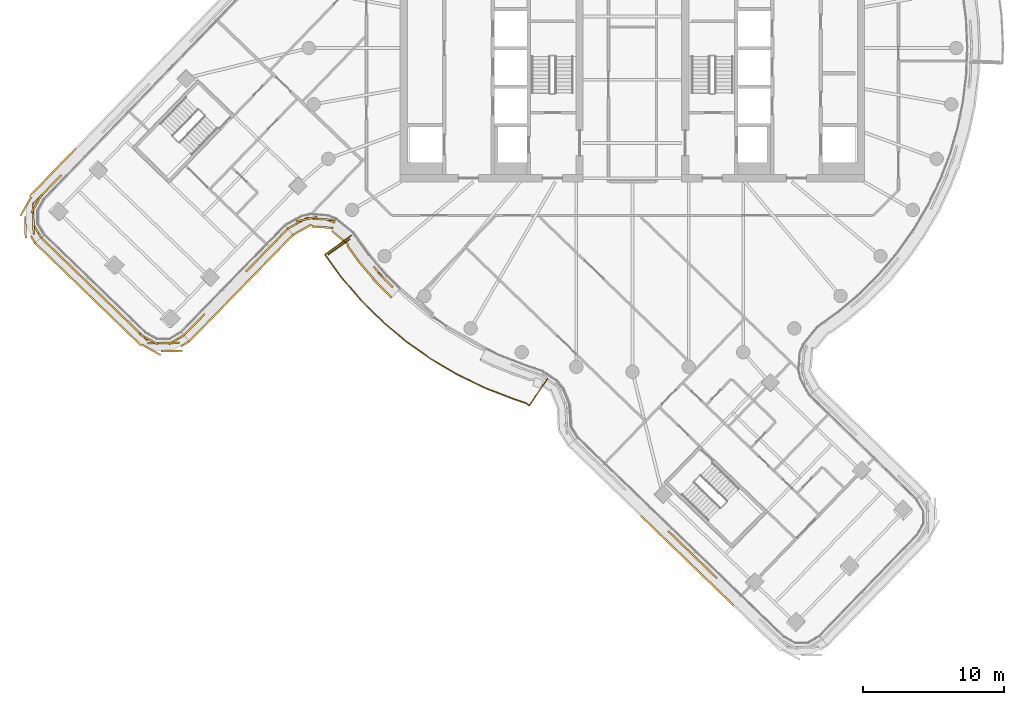
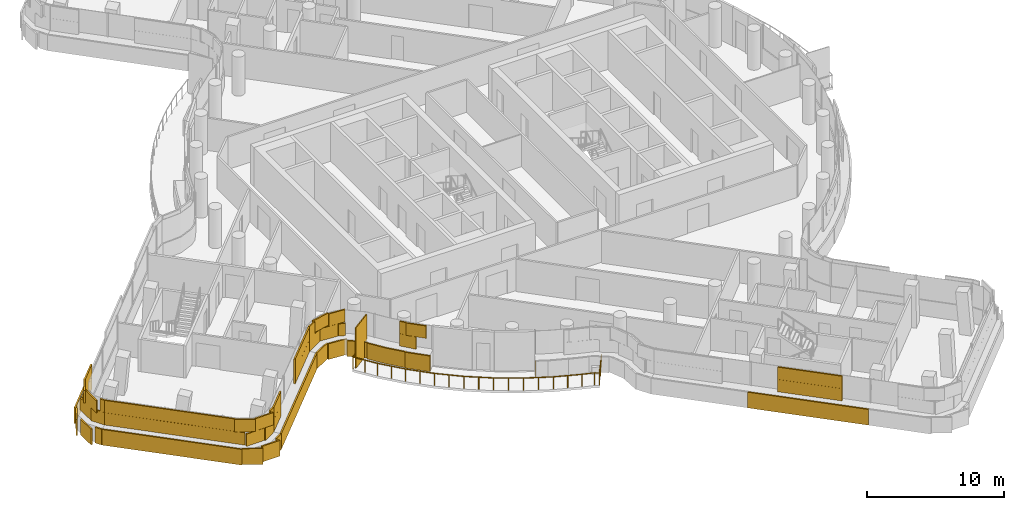
# One storey, part 24 of 31: 5 coverings, 1 railing, 1 shading device.
"""IFC4 building model written with IfcOpenShell, lengths in metres."""

from ifc_helpers import new_model, si_unit, direction, frame, origin, origin_2d, place, context, subcontext, project, spatial, rectangle, circle, extrude, material, layer, layer_set, type_object, element, save


model = new_model("IFC4")

# Units and contexts
model_context = context("Model", 3, precision=1e-05, world=origin(), true_north=direction((0.0, 1.0)))
body_context = subcontext(model_context, "Body", "Model", "MODEL_VIEW")
ifc_project = project(units=[si_unit("LENGTHUNIT", "METRE"), si_unit("AREAUNIT", "SQUARE_METRE"), si_unit("VOLUMEUNIT", "CUBIC_METRE"), si_unit("PLANEANGLEUNIT", "RADIAN"), si_unit("MASSUNIT", "GRAM", prefix="KILO")], contexts=[model_context])

# Site, building, storey
site_placement = place(None, origin())
site = spatial("IfcSite", under=ifc_project, at=site_placement, CompositionType="ELEMENT")
building_placement = place(site_placement, origin())
building = spatial("IfcBuilding", under=site, at=building_placement, Name="Tamarind Cross Interchange Tower", CompositionType="ELEMENT")
storey_placement = place(building_placement, frame((0.0, 0.0, 200.5)))
storey = spatial("IfcBuildingStorey", under=building, at=storey_placement, Name="L50", CompositionType="ELEMENT", Elevation=200.5)

# Railing
ifc_material_1 = material(Name="Stainless steel and laminated glass", Category="steel")
railing_type = type_object("IfcRailingType", Name="Balcony guard", PredefinedType="BALUSTRADE", material=ifc_material_1)
railing_placement = place(storey_placement, frame((-19.9638671875, -13.305908203125, 0.0)))
element("IfcRailing", 1, at=railing_placement, inside=storey, type_object=railing_type, Name="Balcony guard 02", PredefinedType="BALUSTRADE", context=body_context, shape_type="SweptSolid", body=[
    extrude(circle(Radius=0.02490234375, at=origin_2d()), frame((0.0, 0.0, 1.0751953125), z_axis=(-0.811208882336, -0.584756487111, 0.0), x_axis=(0.584756487111, -0.811208882336, 0.0)), (0.0, 0.0, 1.0), 2.320068359375),
    extrude(circle(Radius=0.02490234375, at=origin_2d()), frame((-1.882080078125, -1.356689453125, 1.0751953125), z_axis=(0.584740638287, -0.811220306659, 0.0), x_axis=(0.811220306659, 0.584740638287, 0.0)), (0.0, 0.0, 1.0), 1.9619140625),
    extrude(circle(Radius=0.02490234375, at=origin_2d()), frame((-0.73486328125, -2.9482421875, 1.0751953125), z_axis=(0.649598066146, -0.760277812684, 0.0), x_axis=(0.760277812684, 0.649598066146, 0.0)), (0.0, 0.0, 1.0), 2.175048828125),
    extrude(circle(Radius=0.02490234375, at=origin_2d()), frame((0.677978515625, -4.601806640625, 1.0751953125), z_axis=(0.710130717242, -0.704069857635, 0.0), x_axis=(0.704069857635, 0.710130717242, 0.0)), (0.0, 0.0, 1.0), 2.17529296875),
    extrude(circle(Radius=0.02490234375, at=origin_2d()), frame((2.22265625, -6.13330078125, 1.0751953125), z_axis=(0.765879503455, -0.642984125922, 0.0), x_axis=(0.642984125922, 0.765879503455, 0.0)), (0.0, 0.0, 1.0), 2.17529296875),
    extrude(circle(Radius=0.02490234375, at=origin_2d()), frame((3.888671875, -7.531982421875, 1.0751953125), z_axis=(0.81632657602, -0.577590617379, 0.0), x_axis=(0.577590617379, 0.81632657602, 0.0)), (0.0, 0.0, 1.0), 2.175048828125),
    extrude(circle(Radius=0.02490234375, at=origin_2d()), frame((5.664306640625, -8.788330078125, 1.0751953125), z_axis=(0.861223570169, -0.508226290333, 0.0), x_axis=(0.508226290333, 0.861223570169, 0.0)), (0.0, 0.0, 1.0), 2.175048828125),
    extrude(circle(Radius=0.02490234375, at=origin_2d()), frame((7.53759765625, -9.893798828125, 1.0751953125), z_axis=(0.90029690694, -0.435276325285, 0.0), x_axis=(0.435276325285, 0.90029690694, 0.0)), (0.0, 0.0, 1.0), 2.175048828125),
    extrude(circle(Radius=0.02490234375, at=origin_2d()), frame((9.495849609375, -10.840576171875, 1.0751953125), z_axis=(0.933126557502, -0.359548088139, 0.0), x_axis=(0.359548088139, 0.933126557502, 0.0)), (0.0, 0.0, 1.0), 2.12744140625),
    extrude(circle(Radius=0.02490234375, at=origin_2d()), frame((11.48095703125, -11.60546875, 1.0751953125), z_axis=(0.947254039468, -0.320483673081, 0.0), x_axis=(0.320483673081, 0.947254039468, 0.0)), (0.0, 0.0, 1.0), 0.9287109375),
    extrude(circle(Radius=0.02490234375, at=origin_2d()), frame((12.360595703125, -11.903076171875, 1.0751953125), z_axis=(0.832481631694, -0.554052644514, 0.0), x_axis=(0.554052644514, 0.832481631694, 0.0)), (0.0, 0.0, 1.0), 0.34814453125),
    extrude(circle(Radius=0.02490234375, at=origin_2d()), frame((12.650390625, -12.095947265625, 1.0751953125), z_axis=(0.554165813508, 0.832406301718, 0.0), x_axis=(-0.832406301718, 0.554165813508, 0.0)), (0.0, 0.0, 1.0), 2.320068359375),
    extrude(circle(Radius=0.02001953125, at=origin_2d()), origin(), (0.0, 0.0, 1.0), 1.050048828125),
    extrude(circle(Radius=0.02001953125, at=origin_2d()), frame((-0.94091796875, -0.67822265625, 0.0)), (0.0, 0.0, 1.0), 1.050048828125),
    extrude(circle(Radius=0.02001953125, at=origin_2d()), frame((-1.882080078125, -1.356689453125, 0.0)), (0.0, 0.0, 1.0), 1.050048828125),
    extrude(circle(Radius=0.02001953125, at=origin_2d()), frame((-1.30859375, -2.15234375, 0.0)), (0.0, 0.0, 1.0), 1.050048828125),
    extrude(circle(Radius=0.02001953125, at=origin_2d()), frame((-0.73486328125, -2.9482421875, 0.0)), (0.0, 0.0, 1.0), 1.050048828125),
    extrude(circle(Radius=0.02001953125, at=origin_2d()), frame((-0.0283203125, -3.77490234375, 0.0)), (0.0, 0.0, 1.0), 1.050048828125),
    extrude(circle(Radius=0.02001953125, at=origin_2d()), frame((0.677978515625, -4.601806640625, 0.0)), (0.0, 0.0, 1.0), 1.050048828125),
    extrude(circle(Radius=0.02001953125, at=origin_2d()), frame((1.4501953125, -5.36767578125, 0.0)), (0.0, 0.0, 1.0), 1.050048828125),
    extrude(circle(Radius=0.02001953125, at=origin_2d()), frame((2.22265625, -6.13330078125, 0.0)), (0.0, 0.0, 1.0), 1.050048828125),
    extrude(circle(Radius=0.02001953125, at=origin_2d()), frame((3.0556640625, -6.83251953125, 0.0)), (0.0, 0.0, 1.0), 1.050048828125),
    extrude(circle(Radius=0.02001953125, at=origin_2d()), frame((3.888671875, -7.531982421875, 0.0)), (0.0, 0.0, 1.0), 1.050048828125),
    extrude(circle(Radius=0.02001953125, at=origin_2d()), frame((4.7763671875, -8.16015625, 0.0)), (0.0, 0.0, 1.0), 1.050048828125),
    extrude(circle(Radius=0.02001953125, at=origin_2d()), frame((5.664306640625, -8.788330078125, 0.0)), (0.0, 0.0, 1.0), 1.050048828125),
    extrude(circle(Radius=0.02001953125, at=origin_2d()), frame((6.60107421875, -9.341064453125, 0.0)), (0.0, 0.0, 1.0), 1.050048828125),
    extrude(circle(Radius=0.02001953125, at=origin_2d()), frame((7.53759765625, -9.893798828125, 0.0)), (0.0, 0.0, 1.0), 1.050048828125),
    extrude(circle(Radius=0.02001953125, at=origin_2d()), frame((8.5166015625, -10.3671875, 0.0)), (0.0, 0.0, 1.0), 1.050048828125),
    extrude(circle(Radius=0.02001953125, at=origin_2d()), frame((9.495849609375, -10.840576171875, 0.0)), (0.0, 0.0, 1.0), 1.050048828125),
    extrude(circle(Radius=0.02001953125, at=origin_2d()), frame((10.48828125, -11.22314453125, 0.0)), (0.0, 0.0, 1.0), 1.050048828125),
    extrude(circle(Radius=0.02001953125, at=origin_2d()), frame((11.48095703125, -11.60546875, 0.0)), (0.0, 0.0, 1.0), 1.050048828125),
    extrude(circle(Radius=0.02001953125, at=origin_2d()), frame((12.360595703125, -11.903076171875, 0.0)), (0.0, 0.0, 1.0), 1.050048828125),
    extrude(circle(Radius=0.02001953125, at=origin_2d()), frame((12.650390625, -12.095947265625, 0.0)), (0.0, 0.0, 1.0), 1.050048828125),
    extrude(circle(Radius=0.02001953125, at=origin_2d()), frame((13.293212890625, -11.13037109375, 0.0)), (0.0, 0.0, 1.0), 1.050048828125),
    extrude(circle(Radius=0.02001953125, at=origin_2d()), frame((13.93603515625, -10.164794921875, 0.0)), (0.0, 0.0, 1.0), 1.050048828125),
])

# Shading device
ifc_material_2 = material(Name="Bronze-finish aluminium louvre", Category="aluminium")
ifc_layer_1 = layer(ifc_material_2, 0.080078125)
ifc_layer_set_1 = layer_set([ifc_layer_1], Name="Bronze-finish aluminium louvre")
shading_device_type = type_object("IfcShadingDeviceType", Name="Operable louvre bay", PredefinedType="JALOUSIE", material=ifc_layer_set_1)
shading_device_placement = place(storey_placement, origin())
element("IfcShadingDevice", 2, at=shading_device_placement, inside=storey, type_object=shading_device_type, Name="LVR-L50-BAL02", PredefinedType="JALOUSIE", context=body_context, shape_type="SweptSolid", body=[
    extrude(rectangle(XDim=1.89990234375, YDim=0.080078125, at=origin_2d()), frame((-20.85546875, -14.121337890625, 0.0), z_axis=(0.0, 0.0, 1.0), x_axis=(-0.811217394298, -0.584744678632, 0.0)), (0.0, 0.0, 1.0), 3.60009765625),
])

# Coverings
ifc_material_3 = material(Name="Terracotta", Category="masonry")
ifc_layer_2 = layer(ifc_material_3, 0.1201171875)
ifc_layer_set_2 = layer_set([ifc_layer_2], Name="Terracotta")
covering_type = type_object("IfcCoveringType", Name="Terracotta baguette screen unit", PredefinedType="MOLDING", material=ifc_layer_set_2)
covering_1_placement = place(storey_placement, origin())
element("IfcCovering", 3, at=covering_1_placement, inside=storey, type_object=covering_type, Name="SCR-L50-00-00", PredefinedType="MOLDING", context=body_context, shape_type="SweptSolid", body=[
    extrude(rectangle(XDim=1.510009765625, YDim=0.1201171875, at=origin_2d()), frame((-41.46533203125, -14.0048828125, 1.40380859375), z_axis=(0.0, 0.0, 1.0), x_axis=(0.718990536097, -0.695019862308, 0.0)), (0.0, 0.0, 1.0), 1.092041015625),
    extrude(rectangle(XDim=1.52001953125, YDim=0.1201171875, at=origin_2d()), frame((-40.386962890625, -15.04736328125, 1.40380859375), z_axis=(0.0, 0.0, 1.0), x_axis=(0.718990536097, -0.695019862308, 0.0)), (0.0, 0.0, 1.0), 1.092041015625),
    extrude(rectangle(XDim=1.52001953125, YDim=0.1201171875, at=origin_2d()), frame((-39.308349609375, -16.08984375, 1.40380859375), z_axis=(0.0, 0.0, 1.0), x_axis=(0.718990536097, -0.695019862308, 0.0)), (0.0, 0.0, 1.0), 1.092041015625),
    extrude(rectangle(XDim=1.52001953125, YDim=0.1201171875, at=origin_2d()), frame((-38.22998046875, -17.13232421875, 1.40380859375), z_axis=(0.0, 0.0, 1.0), x_axis=(0.718990536097, -0.695019862308, 0.0)), (0.0, 0.0, 1.0), 1.092041015625),
    extrude(rectangle(XDim=1.52001953125, YDim=0.1201171875, at=origin_2d()), frame((-37.1513671875, -18.1748046875, 1.40380859375), z_axis=(0.0, 0.0, 1.0), x_axis=(0.718990536097, -0.695019862308, 0.0)), (0.0, 0.0, 1.0), 1.092041015625),
    extrude(rectangle(XDim=1.52001953125, YDim=0.1201171875, at=origin_2d()), frame((-36.072998046875, -19.217529296875, 1.40380859375), z_axis=(0.0, 0.0, 1.0), x_axis=(0.718990536097, -0.695019862308, 0.0)), (0.0, 0.0, 1.0), 1.092041015625),
    extrude(rectangle(XDim=1.52001953125, YDim=0.1201171875, at=origin_2d()), frame((-34.994384765625, -20.260009765625, 1.40380859375), z_axis=(0.0, 0.0, 1.0), x_axis=(0.718990536097, -0.695019862308, 0.0)), (0.0, 0.0, 1.0), 1.092041015625),
    extrude(rectangle(XDim=1.52001953125, YDim=0.1201171875, at=origin_2d()), frame((-33.7060546875, -20.96728515625, 1.40380859375), z_axis=(0.0, 0.0, 1.0), x_axis=(0.999856341381, 0.016949825986, 0.0)), (0.0, 0.0, 1.0), 1.092041015625),
    extrude(rectangle(XDim=1.259521484375, YDim=0.1201171875, at=origin_2d()), frame((-32.39501953125, -20.721923828125, 1.40380859375), z_axis=(0.0, 0.0, 1.0), x_axis=(0.857426078778, 0.514607150584, 0.0)), (0.0, 0.0, 1.0), 1.092041015625),
    extrude(rectangle(XDim=0.760009765625, YDim=0.1201171875, at=origin_2d()), frame((-41.735107421875, -13.744140625, 2.50390625), z_axis=(0.0, 0.0, 1.0), x_axis=(0.718990536097, -0.695019862308, 0.0)), (0.0, 0.0, 1.0), 1.092041015625),
    extrude(rectangle(XDim=1.52001953125, YDim=0.1201171875, at=origin_2d()), frame((-40.92626953125, -14.526123046875, 2.50390625), z_axis=(0.0, 0.0, 1.0), x_axis=(0.718990536097, -0.695019862308, 0.0)), (0.0, 0.0, 1.0), 1.092041015625),
    extrude(rectangle(XDim=1.52001953125, YDim=0.1201171875, at=origin_2d()), frame((-39.84765625, -15.568603515625, 2.50390625), z_axis=(0.0, 0.0, 1.0), x_axis=(0.718990536097, -0.695019862308, 0.0)), (0.0, 0.0, 1.0), 1.092041015625),
    extrude(rectangle(XDim=1.52001953125, YDim=0.1201171875, at=origin_2d()), frame((-38.769287109375, -16.611083984375, 2.50390625), z_axis=(0.0, 0.0, 1.0), x_axis=(0.718990536097, -0.695019862308, 0.0)), (0.0, 0.0, 1.0), 1.092041015625),
    extrude(rectangle(XDim=1.52001953125, YDim=0.1201171875, at=origin_2d()), frame((-37.690673828125, -17.653564453125, 2.50390625), z_axis=(0.0, 0.0, 1.0), x_axis=(0.718990536097, -0.695019862308, 0.0)), (0.0, 0.0, 1.0), 1.092041015625),
    extrude(rectangle(XDim=1.52001953125, YDim=0.1201171875, at=origin_2d()), frame((-36.6123046875, -18.696044921875, 2.50390625), z_axis=(0.0, 0.0, 1.0), x_axis=(0.718990536097, -0.695019862308, 0.0)), (0.0, 0.0, 1.0), 1.092041015625),
    extrude(rectangle(XDim=1.52001953125, YDim=0.1201171875, at=origin_2d()), frame((-35.53369140625, -19.73876953125, 2.50390625), z_axis=(0.0, 0.0, 1.0), x_axis=(0.718990536097, -0.695019862308, 0.0)), (0.0, 0.0, 1.0), 1.092041015625),
    extrude(rectangle(XDim=1.52001953125, YDim=0.1201171875, at=origin_2d()), frame((-34.38134765625, -20.681396484375, 2.50390625), z_axis=(0.0, 0.0, 1.0), x_axis=(0.874375904764, -0.485249190797, 0.0)), (0.0, 0.0, 1.0), 1.092041015625),
    extrude(rectangle(XDim=1.52001953125, YDim=0.1201171875, at=origin_2d()), frame((-32.9560546875, -20.95458984375, 2.50390625), z_axis=(0.0, 0.0, 1.0), x_axis=(0.999856341381, 0.016949825986, 0.0)), (0.0, 0.0, 1.0), 1.092041015625),
    extrude(rectangle(XDim=0.509521484375, YDim=0.1201171875, at=origin_2d()), frame((-32.073486328125, -20.529052734375, 2.50390625), z_axis=(0.0, 0.0, 1.0), x_axis=(0.857426078778, 0.514607150584, 0.0)), (0.0, 0.0, 1.0), 1.092041015625),
    extrude(rectangle(XDim=1.510009765625, YDim=0.1201171875, at=origin_2d()), frame((-41.9150390625, -14.368408203125, 0.00390625), z_axis=(0.0, 0.0, 1.0), x_axis=(0.718990536097, -0.695019862308, 0.0)), (0.0, 0.0, 1.0), 1.39208984375),
    extrude(rectangle(XDim=1.52001953125, YDim=0.1201171875, at=origin_2d()), frame((-40.840087890625, -15.407470703125, 0.00390625), z_axis=(0.0, 0.0, 1.0), x_axis=(0.718990536097, -0.695019862308, 0.0)), (0.0, 0.0, 1.0), 1.39208984375),
    extrude(rectangle(XDim=1.52001953125, YDim=0.1201171875, at=origin_2d()), frame((-39.76171875, -16.449951171875, 0.00390625), z_axis=(0.0, 0.0, 1.0), x_axis=(0.718990536097, -0.695019862308, 0.0)), (0.0, 0.0, 1.0), 1.39208984375),
    extrude(rectangle(XDim=1.52001953125, YDim=0.1201171875, at=origin_2d()), frame((-38.683349609375, -17.492431640625, 0.00390625), z_axis=(0.0, 0.0, 1.0), x_axis=(0.718990536097, -0.695019862308, 0.0)), (0.0, 0.0, 1.0), 1.39208984375),
    extrude(rectangle(XDim=1.52001953125, YDim=0.1201171875, at=origin_2d()), frame((-37.604736328125, -18.53515625, 0.00390625), z_axis=(0.0, 0.0, 1.0), x_axis=(0.718990536097, -0.695019862308, 0.0)), (0.0, 0.0, 1.0), 1.39208984375),
    extrude(rectangle(XDim=1.52001953125, YDim=0.1201171875, at=origin_2d()), frame((-36.5263671875, -19.57763671875, 0.00390625), z_axis=(0.0, 0.0, 1.0), x_axis=(0.718990536097, -0.695019862308, 0.0)), (0.0, 0.0, 1.0), 1.39208984375),
    extrude(rectangle(XDim=1.52001953125, YDim=0.1201171875, at=origin_2d()), frame((-35.44775390625, -20.6201171875, 0.00390625), z_axis=(0.0, 0.0, 1.0), x_axis=(0.718990536097, -0.695019862308, 0.0)), (0.0, 0.0, 1.0), 1.39208984375),
    extrude(rectangle(XDim=1.52001953125, YDim=0.1201171875, at=origin_2d()), frame((-34.2021484375, -21.43701171875, 0.00390625), z_axis=(0.0, 0.0, 1.0), x_axis=(0.874375904764, -0.485249190797, 0.0)), (0.0, 0.0, 1.0), 1.39208984375),
    extrude(rectangle(XDim=1.52001953125, YDim=0.1201171875, at=origin_2d()), frame((-32.730712890625, -21.52490234375, 0.00390625), z_axis=(0.0, 0.0, 1.0), x_axis=(0.999856341381, 0.016949825986, 0.0)), (0.0, 0.0, 1.0), 1.39208984375),
    extrude(rectangle(XDim=0.67578125, YDim=0.1201171875, at=origin_2d()), frame((-31.789794921875, -21.0283203125, 0.00390625), z_axis=(0.0, 0.0, 1.0), x_axis=(0.857426078778, 0.514607150584, 0.0)), (0.0, 0.0, 1.0), 1.39208984375),
])
covering_2_placement = place(storey_placement, origin())
element("IfcCovering", 4, at=covering_2_placement, inside=storey, type_object=covering_type, Name="SCR-L50-01-00", PredefinedType="MOLDING", context=body_context, shape_type="SweptSolid", body=[
    extrude(rectangle(XDim=1.510009765625, YDim=0.1201171875, at=origin_2d()), frame((-31.3359375, -19.86328125, 1.40380859375), z_axis=(0.0, 0.0, 1.0), x_axis=(0.6978798813, 0.716214822017, 0.0)), (0.0, 0.0, 1.0), 1.092041015625),
    extrude(rectangle(XDim=0.617431640625, YDim=0.1201171875, at=origin_2d()), frame((-30.6005859375, -19.108642578125, 1.40380859375), z_axis=(0.0, 0.0, 1.0), x_axis=(0.6978798813, 0.716214822017, 0.0)), (0.0, 0.0, 1.0), 1.092041015625),
    extrude(rectangle(XDim=1.202392578125, YDim=0.1201171875, at=origin_2d()), frame((-27.041259765625, -15.455810546875, 1.40380859375), z_axis=(0.0, 0.0, 1.0), x_axis=(0.6978798813, 0.716214822017, 0.0)), (0.0, 0.0, 1.0), 1.092041015625),
    extrude(rectangle(XDim=1.52001953125, YDim=0.1201171875, at=origin_2d()), frame((-26.101806640625, -14.49169921875, 1.40380859375), z_axis=(0.0, 0.0, 1.0), x_axis=(0.6978798813, 0.716214822017, 0.0)), (0.0, 0.0, 1.0), 1.092041015625),
    extrude(rectangle(XDim=1.52001953125, YDim=0.1201171875, at=origin_2d()), frame((-25.054931640625, -13.41748046875, 1.40380859375), z_axis=(0.0, 0.0, 1.0), x_axis=(0.6978798813, 0.716214822017, 0.0)), (0.0, 0.0, 1.0), 1.092041015625),
    extrude(rectangle(XDim=0.0859375, YDim=0.1201171875, at=origin_2d()), frame((-24.505126953125, -12.85302734375, 1.40380859375), z_axis=(0.0, 0.0, 1.0), x_axis=(0.6978798813, 0.716214822017, 0.0)), (0.0, 0.0, 1.0), 1.092041015625),
    extrude(rectangle(XDim=0.760009765625, YDim=0.1201171875, at=origin_2d()), frame((-31.59765625, -20.1318359375, 2.50390625), z_axis=(0.0, 0.0, 1.0), x_axis=(0.6978798813, 0.716214822017, 0.0)), (0.0, 0.0, 1.0), 1.092041015625),
    extrude(rectangle(XDim=1.367431640625, YDim=0.1201171875, at=origin_2d()), frame((-30.8623046875, -19.377197265625, 2.50390625), z_axis=(0.0, 0.0, 1.0), x_axis=(0.6978798813, 0.716214822017, 0.0)), (0.0, 0.0, 1.0), 1.092041015625),
    extrude(rectangle(XDim=0.452392578125, YDim=0.1201171875, at=origin_2d()), frame((-27.302978515625, -15.724365234375, 2.50390625), z_axis=(0.0, 0.0, 1.0), x_axis=(0.6978798813, 0.716214822017, 0.0)), (0.0, 0.0, 1.0), 1.092041015625),
    extrude(rectangle(XDim=1.52001953125, YDim=0.1201171875, at=origin_2d()), frame((-26.625244140625, -15.02880859375, 2.50390625), z_axis=(0.0, 0.0, 1.0), x_axis=(0.6978798813, 0.716214822017, 0.0)), (0.0, 0.0, 1.0), 1.092041015625),
    extrude(rectangle(XDim=1.52001953125, YDim=0.1201171875, at=origin_2d()), frame((-25.578369140625, -13.95458984375, 2.50390625), z_axis=(0.0, 0.0, 1.0), x_axis=(0.6978798813, 0.716214822017, 0.0)), (0.0, 0.0, 1.0), 1.092041015625),
    extrude(rectangle(XDim=0.8359375, YDim=0.1201171875, at=origin_2d()), frame((-24.766845703125, -13.12158203125, 2.50390625), z_axis=(0.0, 0.0, 1.0), x_axis=(0.6978798813, 0.716214822017, 0.0)), (0.0, 0.0, 1.0), 1.092041015625),
    extrude(rectangle(XDim=1.510009765625, YDim=0.1201171875, at=origin_2d()), frame((-30.97314453125, -20.3134765625, 0.00390625), z_axis=(0.0, 0.0, 1.0), x_axis=(0.6978798813, 0.716214822017, 0.0)), (0.0, 0.0, 1.0), 1.39208984375),
    extrude(rectangle(XDim=1.52001953125, YDim=0.1201171875, at=origin_2d()), frame((-29.929931640625, -19.242919921875, 0.00390625), z_axis=(0.0, 0.0, 1.0), x_axis=(0.6978798813, 0.716214822017, 0.0)), (0.0, 0.0, 1.0), 1.39208984375),
    extrude(rectangle(XDim=1.52001953125, YDim=0.1201171875, at=origin_2d()), frame((-28.883056640625, -18.16845703125, 0.00390625), z_axis=(0.0, 0.0, 1.0), x_axis=(0.6978798813, 0.716214822017, 0.0)), (0.0, 0.0, 1.0), 1.39208984375),
    extrude(rectangle(XDim=1.52001953125, YDim=0.1201171875, at=origin_2d()), frame((-27.836181640625, -17.09423828125, 0.00390625), z_axis=(0.0, 0.0, 1.0), x_axis=(0.6978798813, 0.716214822017, 0.0)), (0.0, 0.0, 1.0), 1.39208984375),
    extrude(rectangle(XDim=1.52001953125, YDim=0.1201171875, at=origin_2d()), frame((-26.78955078125, -16.019775390625, 0.00390625), z_axis=(0.0, 0.0, 1.0), x_axis=(0.6978798813, 0.716214822017, 0.0)), (0.0, 0.0, 1.0), 1.39208984375),
    extrude(rectangle(XDim=1.52001953125, YDim=0.1201171875, at=origin_2d()), frame((-25.74267578125, -14.945556640625, 0.00390625), z_axis=(0.0, 0.0, 1.0), x_axis=(0.6978798813, 0.716214822017, 0.0)), (0.0, 0.0, 1.0), 1.39208984375),
    extrude(rectangle(XDim=1.52001953125, YDim=0.1201171875, at=origin_2d()), frame((-24.69580078125, -13.871337890625, 0.00390625), z_axis=(0.0, 0.0, 1.0), x_axis=(0.6978798813, 0.716214822017, 0.0)), (0.0, 0.0, 1.0), 1.39208984375),
    extrude(rectangle(XDim=0.076904296875, YDim=0.1201171875, at=origin_2d()), frame((-24.152587890625, -13.313720703125, 0.00390625), z_axis=(0.0, 0.0, 1.0), x_axis=(0.6978798813, 0.716214822017, 0.0)), (0.0, 0.0, 1.0), 1.39208984375),
])
covering_3_placement = place(storey_placement, origin())
element("IfcCovering", 5, at=covering_3_placement, inside=storey, type_object=covering_type, Name="SCR-L50-02-00", PredefinedType="MOLDING", context=body_context, shape_type="SweptSolid", body=[
    extrude(rectangle(XDim=1.510009765625, YDim=0.1201171875, at=origin_2d()), frame((-23.82421875, -12.459716796875, 1.40380859375), z_axis=(0.0, 0.0, 1.0), x_axis=(0.872663225406, 0.488322531759, 0.0)), (0.0, 0.0, 1.0), 1.092041015625),
    extrude(rectangle(XDim=1.52001953125, YDim=0.1201171875, at=origin_2d()), frame((-22.4033203125, -12.127197265625, 1.40380859375), z_axis=(0.0, 0.0, 1.0), x_axis=(0.99724857828, -0.074130109387, 0.0)), (0.0, 0.0, 1.0), 1.092041015625),
    extrude(rectangle(XDim=0.551513671875, YDim=0.1201171875, at=origin_2d()), frame((-21.408203125, -12.304931640625, 1.40380859375), z_axis=(0.0, 0.0, 1.0), x_axis=(0.93363010399, -0.358238508431, 0.0)), (0.0, 0.0, 1.0), 1.092041015625),
    extrude(rectangle(XDim=1.2685546875, YDim=0.1201171875, at=origin_2d()), frame((-17.97412109375, -16.010009765625, 1.40380859375), z_axis=(0.0, 0.0, 1.0), x_axis=(0.64957723968, -0.760295606781, 0.0)), (0.0, 0.0, 1.0), 1.092041015625),
    extrude(rectangle(XDim=0.760009765625, YDim=0.1201171875, at=origin_2d()), frame((-24.1513671875, -12.642822265625, 2.50390625), z_axis=(0.0, 0.0, 1.0), x_axis=(0.872663225406, 0.488322531759, 0.0)), (0.0, 0.0, 1.0), 1.092041015625),
    extrude(rectangle(XDim=1.52001953125, YDim=0.1201171875, at=origin_2d()), frame((-23.14501953125, -12.158447265625, 2.50390625), z_axis=(0.0, 0.0, 1.0), x_axis=(0.976335383859, 0.216261920423, 0.0)), (0.0, 0.0, 1.0), 1.092041015625),
    extrude(rectangle(XDim=1.301513671875, YDim=0.1201171875, at=origin_2d()), frame((-21.75927734375, -12.175048828125, 2.50390625), z_axis=(0.0, 0.0, 1.0), x_axis=(0.99724857828, -0.074130109387, 0.0)), (0.0, 0.0, 1.0), 1.092041015625),
    extrude(rectangle(XDim=0.5185546875, YDim=0.1201171875, at=origin_2d()), frame((-18.2177734375, -15.724853515625, 2.50390625), z_axis=(0.0, 0.0, 1.0), x_axis=(0.64957723968, -0.760295606781, 0.0)), (0.0, 0.0, 1.0), 1.092041015625),
    extrude(rectangle(XDim=1.52001953125, YDim=0.1201171875, at=origin_2d()), frame((-17.5576171875, -16.481201171875, 2.50390625), z_axis=(0.0, 0.0, 1.0), x_axis=(0.710143317658, -0.704057148523, 0.0)), (0.0, 0.0, 1.0), 1.092041015625),
    extrude(rectangle(XDim=1.510009765625, YDim=0.1201171875, at=origin_2d()), frame((-23.466796875, -12.91748046875, 0.00390625), z_axis=(0.0, 0.0, 1.0), x_axis=(0.872663225406, 0.488322531759, 0.0)), (0.0, 0.0, 1.0), 1.39208984375),
    extrude(rectangle(XDim=1.52001953125, YDim=0.1201171875, at=origin_2d()), frame((-22.02587890625, -12.73095703125, 0.00390625), z_axis=(0.0, 0.0, 1.0), x_axis=(0.99724857828, -0.074130109387, 0.0)), (0.0, 0.0, 1.0), 1.39208984375),
    extrude(rectangle(XDim=1.52001953125, YDim=0.1201171875, at=origin_2d()), frame((-20.7724609375, -13.494384765625, 0.00390625), z_axis=(0.0, 0.0, 1.0), x_axis=(0.774205999047, -0.63293370193, 0.0)), (0.0, 0.0, 1.0), 1.39208984375),
    extrude(rectangle(XDim=1.52001953125, YDim=0.1201171875, at=origin_2d()), frame((-19.8203125, -14.640625, 0.00390625), z_axis=(0.0, 0.0, 1.0), x_axis=(0.584744678632, -0.811217394298, 0.0)), (0.0, 0.0, 1.0), 1.39208984375),
    extrude(rectangle(XDim=1.52001953125, YDim=0.1201171875, at=origin_2d()), frame((-18.89306640625, -15.818115234375, 0.00390625), z_axis=(0.0, 0.0, 1.0), x_axis=(0.64957723968, -0.760295606781, 0.0)), (0.0, 0.0, 1.0), 1.39208984375),
    extrude(rectangle(XDim=1.52001953125, YDim=0.1201171875, at=origin_2d()), frame((-17.904541015625, -16.9453125, 0.00390625), z_axis=(0.0, 0.0, 1.0), x_axis=(0.710143317658, -0.704057148523, 0.0)), (0.0, 0.0, 1.0), 1.39208984375),
    extrude(rectangle(XDim=0.37060546875, YDim=0.1201171875, at=origin_2d()), frame((-17.24755859375, -17.596923828125, 0.00390625), z_axis=(0.0, 0.0, 1.0), x_axis=(0.710143317658, -0.704057148523, 0.0)), (0.0, 0.0, 1.0), 1.39208984375),
    extrude(rectangle(XDim=0.03076171875, YDim=0.1201171875, at=origin_2d()), frame((-10.8037109375, -22.144775390625, 0.00390625), z_axis=(0.0, 0.0, 1.0), x_axis=(0.900272776334, -0.435326231914, 0.0)), (0.0, 0.0, 1.0), 1.39208984375),
])
covering_4_placement = place(storey_placement, origin())
element("IfcCovering", 6, at=covering_4_placement, inside=storey, type_object=covering_type, Name="SCR-L50-03-01", PredefinedType="MOLDING", context=body_context, shape_type="SweptSolid", body=[
    extrude(rectangle(XDim=1.215087890625, YDim=0.1201171875, at=origin_2d()), frame((2.980712890625, -34.742431640625, 1.40380859375), z_axis=(0.0, 0.0, 1.0), x_axis=(0.718990536097, -0.695019862308, 0.0)), (0.0, 0.0, 1.0), 1.092041015625),
    extrude(rectangle(XDim=1.52001953125, YDim=0.1201171875, at=origin_2d()), frame((3.953125, -35.682373046875, 1.40380859375), z_axis=(0.0, 0.0, 1.0), x_axis=(0.718990536097, -0.695019862308, 0.0)), (0.0, 0.0, 1.0), 1.092041015625),
    extrude(rectangle(XDim=1.52001953125, YDim=0.1201171875, at=origin_2d()), frame((5.03173828125, -36.72509765625, 1.40380859375), z_axis=(0.0, 0.0, 1.0), x_axis=(0.718990536097, -0.695019862308, 0.0)), (0.0, 0.0, 1.0), 1.092041015625),
    extrude(rectangle(XDim=0.615234375, YDim=0.1201171875, at=origin_2d()), frame((5.78857421875, -37.45654296875, 1.40380859375), z_axis=(0.0, 0.0, 1.0), x_axis=(0.718990536097, -0.695019862308, 0.0)), (0.0, 0.0, 1.0), 1.092041015625),
    extrude(rectangle(XDim=0.465087890625, YDim=0.1201171875, at=origin_2d()), frame((2.711181640625, -34.481689453125, 2.50390625), z_axis=(0.0, 0.0, 1.0), x_axis=(0.718990536097, -0.695019862308, 0.0)), (0.0, 0.0, 1.0), 1.092041015625),
    extrude(rectangle(XDim=1.52001953125, YDim=0.1201171875, at=origin_2d()), frame((3.4140625, -35.1611328125, 2.50390625), z_axis=(0.0, 0.0, 1.0), x_axis=(0.718990536097, -0.695019862308, 0.0)), (0.0, 0.0, 1.0), 1.092041015625),
    extrude(rectangle(XDim=1.52001953125, YDim=0.1201171875, at=origin_2d()), frame((4.492431640625, -36.20361328125, 2.50390625), z_axis=(0.0, 0.0, 1.0), x_axis=(0.718990536097, -0.695019862308, 0.0)), (0.0, 0.0, 1.0), 1.092041015625),
    extrude(rectangle(XDim=1.365234375, YDim=0.1201171875, at=origin_2d()), frame((5.518798828125, -37.19580078125, 2.50390625), z_axis=(0.0, 0.0, 1.0), x_axis=(0.718990536097, -0.695019862308, 0.0)), (0.0, 0.0, 1.0), 1.092041015625),
    extrude(rectangle(XDim=0.2626953125, YDim=0.1201171875, at=origin_2d()), frame((0.71826171875, -33.353759765625, 0.00390625), z_axis=(0.0, 0.0, 1.0), x_axis=(0.718990536097, -0.695019862308, 0.0)), (0.0, 0.0, 1.0), 1.39208984375),
    extrude(rectangle(XDim=1.52001953125, YDim=0.1201171875, at=origin_2d()), frame((1.344970703125, -33.95947265625, 0.00390625), z_axis=(0.0, 0.0, 1.0), x_axis=(0.718990536097, -0.695019862308, 0.0)), (0.0, 0.0, 1.0), 1.39208984375),
    extrude(rectangle(XDim=1.52001953125, YDim=0.1201171875, at=origin_2d()), frame((2.42333984375, -35.001953125, 0.00390625), z_axis=(0.0, 0.0, 1.0), x_axis=(0.718990536097, -0.695019862308, 0.0)), (0.0, 0.0, 1.0), 1.39208984375),
    extrude(rectangle(XDim=1.52001953125, YDim=0.1201171875, at=origin_2d()), frame((3.501708984375, -36.04443359375, 0.00390625), z_axis=(0.0, 0.0, 1.0), x_axis=(0.718990536097, -0.695019862308, 0.0)), (0.0, 0.0, 1.0), 1.39208984375),
    extrude(rectangle(XDim=1.52001953125, YDim=0.1201171875, at=origin_2d()), frame((4.580322265625, -37.0869140625, 0.00390625), z_axis=(0.0, 0.0, 1.0), x_axis=(0.718990536097, -0.695019862308, 0.0)), (0.0, 0.0, 1.0), 1.39208984375),
    extrude(rectangle(XDim=1.52001953125, YDim=0.1201171875, at=origin_2d()), frame((5.65869140625, -38.129638671875, 0.00390625), z_axis=(0.0, 0.0, 1.0), x_axis=(0.718990536097, -0.695019862308, 0.0)), (0.0, 0.0, 1.0), 1.39208984375),
    extrude(rectangle(XDim=1.3330078125, YDim=0.1201171875, at=origin_2d()), frame((6.670166015625, -39.107177734375, 0.00390625), z_axis=(0.0, 0.0, 1.0), x_axis=(0.718990536097, -0.695019862308, 0.0)), (0.0, 0.0, 1.0), 1.39208984375),
])
covering_5_placement = place(storey_placement, origin())
element("IfcCovering", 7, at=covering_5_placement, inside=storey, type_object=covering_type, Name="SCR-L50-11-02", PredefinedType="MOLDING", context=body_context, shape_type="SweptSolid", body=[
    extrude(rectangle(XDim=1.204833984375, YDim=0.1201171875, at=origin_2d()), frame((-41.001220703125, -9.455322265625, 1.40380859375), z_axis=(0.0, 0.0, 1.0), x_axis=(-0.695019862308, -0.718990536097, 0.0)), (0.0, 0.0, 1.0), 1.092041015625),
    extrude(rectangle(XDim=1.52001953125, YDim=0.1201171875, at=origin_2d()), frame((-41.937744140625, -10.424072265625, 1.40380859375), z_axis=(0.0, 0.0, 1.0), x_axis=(-0.695019862308, -0.718990536097, 0.0)), (0.0, 0.0, 1.0), 1.092041015625),
    extrude(rectangle(XDim=1.52001953125, YDim=0.1201171875, at=origin_2d()), frame((-42.56982421875, -11.7421875, 1.40380859375), z_axis=(0.0, 0.0, 1.0), x_axis=(0.016949825986, -0.999856341381, 0.0)), (0.0, 0.0, 1.0), 1.092041015625),
    extrude(rectangle(XDim=1.154052734375, YDim=0.1201171875, at=origin_2d()), frame((-42.299072265625, -12.992919921875, 1.40380859375), z_axis=(0.0, 0.0, 1.0), x_axis=(0.514607150584, -0.857426078778, 0.0)), (0.0, 0.0, 1.0), 1.092041015625),
    extrude(rectangle(XDim=0.454833984375, YDim=0.1201171875, at=origin_2d()), frame((-40.740478515625, -9.185791015625, 2.50390625), z_axis=(0.0, 0.0, 1.0), x_axis=(-0.695019862308, -0.718990536097, 0.0)), (0.0, 0.0, 1.0), 1.092041015625),
    extrude(rectangle(XDim=1.52001953125, YDim=0.1201171875, at=origin_2d()), frame((-41.416259765625, -9.884765625, 2.50390625), z_axis=(0.0, 0.0, 1.0), x_axis=(-0.695019862308, -0.718990536097, 0.0)), (0.0, 0.0, 1.0), 1.092041015625),
    extrude(rectangle(XDim=1.52001953125, YDim=0.1201171875, at=origin_2d()), frame((-42.3369140625, -11.0537109375, 2.50390625), z_axis=(0.0, 0.0, 1.0), x_axis=(-0.485249190797, -0.874375904764, 0.0)), (0.0, 0.0, 1.0), 1.092041015625),
    extrude(rectangle(XDim=1.52001953125, YDim=0.1201171875, at=origin_2d()), frame((-42.55712890625, -12.4921875, 2.50390625), z_axis=(0.0, 0.0, 1.0), x_axis=(0.016949825986, -0.999856341381, 0.0)), (0.0, 0.0, 1.0), 1.092041015625),
    extrude(rectangle(XDim=0.404052734375, YDim=0.1201171875, at=origin_2d()), frame((-42.10595703125, -13.314453125, 2.50390625), z_axis=(0.0, 0.0, 1.0), x_axis=(0.514607150584, -0.857426078778, 0.0)), (0.0, 0.0, 1.0), 1.092041015625),
    extrude(rectangle(XDim=0.18701171875, YDim=0.1201171875, at=origin_2d()), frame((-39.63525390625, -7.216552734375, 0.00390625), z_axis=(0.0, 0.0, 1.0), x_axis=(-0.695019862308, -0.718990536097, 0.0)), (0.0, 0.0, 1.0), 1.39208984375),
    extrude(rectangle(XDim=1.52001953125, YDim=0.1201171875, at=origin_2d()), frame((-40.214599609375, -7.815673828125, 0.00390625), z_axis=(0.0, 0.0, 1.0), x_axis=(-0.695019862308, -0.718990536097, 0.0)), (0.0, 0.0, 1.0), 1.39208984375),
    extrude(rectangle(XDim=1.52001953125, YDim=0.1201171875, at=origin_2d()), frame((-41.257080078125, -8.894287109375, 0.00390625), z_axis=(0.0, 0.0, 1.0), x_axis=(-0.695019862308, -0.718990536097, 0.0)), (0.0, 0.0, 1.0), 1.39208984375),
    extrude(rectangle(XDim=1.52001953125, YDim=0.1201171875, at=origin_2d()), frame((-42.299560546875, -9.97265625, 0.00390625), z_axis=(0.0, 0.0, 1.0), x_axis=(-0.695019862308, -0.718990536097, 0.0)), (0.0, 0.0, 1.0), 1.39208984375),
    extrude(rectangle(XDim=1.52001953125, YDim=0.1201171875, at=origin_2d()), frame((-43.093994140625, -11.235107421875, 0.00390625), z_axis=(0.0, 0.0, 1.0), x_axis=(-0.485249190797, -0.874375904764, 0.0)), (0.0, 0.0, 1.0), 1.39208984375),
    extrude(rectangle(XDim=1.52001953125, YDim=0.1201171875, at=origin_2d()), frame((-43.12744140625, -12.72021484375, 0.00390625), z_axis=(0.0, 0.0, 1.0), x_axis=(0.016949825986, -0.999856341381, 0.0)), (0.0, 0.0, 1.0), 1.39208984375),
    extrude(rectangle(XDim=0.56884765625, YDim=0.1201171875, at=origin_2d()), frame((-42.604248046875, -13.599853515625, 0.00390625), z_axis=(0.0, 0.0, 1.0), x_axis=(0.514607150584, -0.857426078778, 0.0)), (0.0, 0.0, 1.0), 1.39208984375),
])

save(model, "model.ifc")
